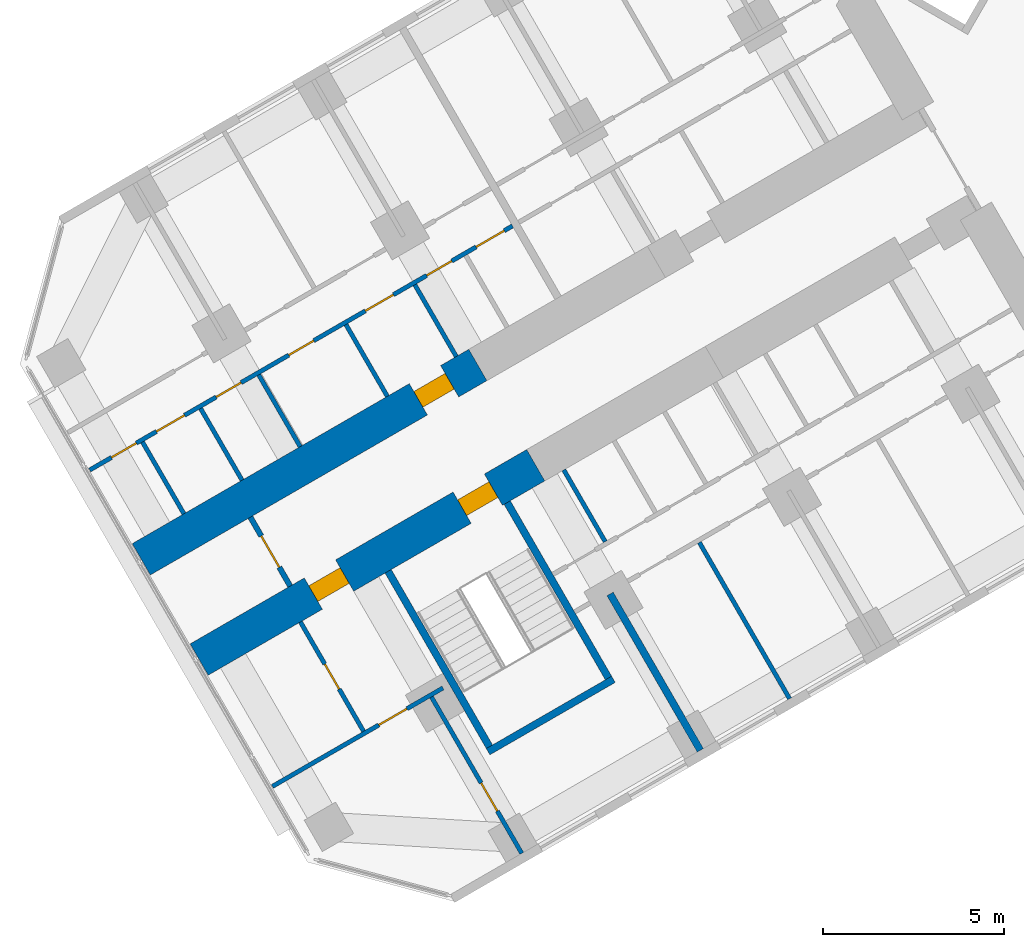
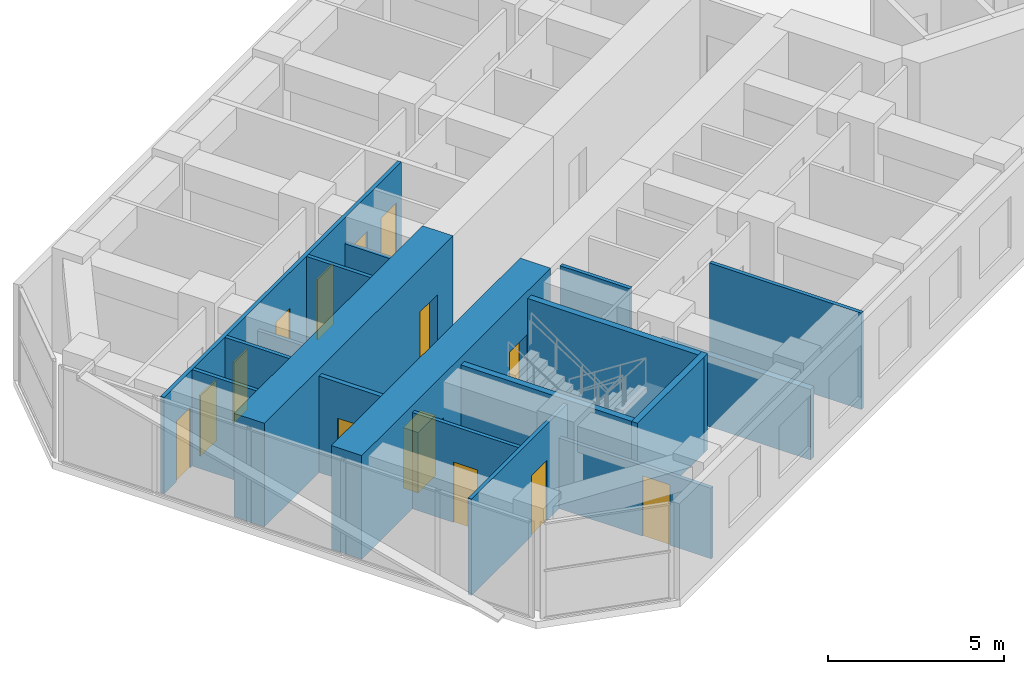
# One storey, part 10 of 21: 18 walls, 14 doors, 14 openings.
"""IFC4 building model written with IfcOpenShell, lengths in metres."""

from ifc_helpers import new_model, si_unit, direction, frame, frame_2d, origin, place, context, subcontext, project, spatial, rectangle, extrude, material, layer, layer_set, type_object, element, fill, save


model = new_model("IFC4")

# Units and contexts
model_context = context("Model", 3, precision=1e-05, world=origin(), true_north=direction((0.0, 1.0)))
body_context = subcontext(model_context, "Body", "Model", "MODEL_VIEW")
ifc_project = project(units=[si_unit("LENGTHUNIT", "METRE"), si_unit("AREAUNIT", "SQUARE_METRE"), si_unit("VOLUMEUNIT", "CUBIC_METRE"), si_unit("PLANEANGLEUNIT", "RADIAN"), si_unit("MASSUNIT", "GRAM", prefix="KILO")], contexts=[model_context])

# Site, building, storey
site_placement = place(None, origin())
site = spatial("IfcSite", under=ifc_project, at=site_placement, CompositionType="ELEMENT")
building_placement = place(site_placement, origin())
building = spatial("IfcBuilding", under=site, at=building_placement, Name="Kosmar Iwan School Tower", CompositionType="ELEMENT")
storey_placement = place(building_placement, frame((0.0, 0.0, 64.60009765625)))
storey = spatial("IfcBuildingStorey", under=building, at=storey_placement, Name="L15", CompositionType="ELEMENT", Elevation=64.60009765625)

# Wall, openings, doors
ifc_material_1 = material(Name="Concrete C50/60", Category="concrete")
ifc_layer_1 = layer(ifc_material_1, 1.0)
ifc_layer_set_1 = layer_set([ifc_layer_1], Name="Corridor buttress wall 1000")
wall_type_1 = type_object("IfcWallType", Name="Corridor buttress wall 1000", PredefinedType="SHEAR", material=ifc_layer_set_1)
wall_1_placement = place(storey_placement, frame((-19.681396484375, -13.210693359375, 0.0), z_axis=(0.0, 0.0, 1.0), x_axis=(-0.866028186671, -0.499995179869, 0.0)))
wall_1 = element("IfcWall", 1, at=wall_1_placement, inside=storey, type_object=wall_type_1, Name="Corridor wall BL bay 3", PredefinedType="SHEAR", context=body_context, shape_type="SweptSolid", body=[
    extrude(rectangle(XDim=10.7451171875, YDim=1.0, at=frame_2d((5.37255859375, 0.0))), origin(), (0.0, 0.0, 1.0), 3.599853515625),
])
opening_1_placement = place(wall_1_placement, frame((6.10009765625, 0.0, 0.0)))
opening_1 = element("IfcOpeningElement", 2, at=opening_1_placement, cuts=wall_1, Name="Opening D1", PredefinedType="OPENING", context=body_context, shape_type="SweptSolid", body=[
    extrude(rectangle(XDim=1.0, YDim=2.10009765625, at=frame_2d((0.5, 1.050048828125))), frame((0.0, 0.511962890625, 0.0), z_axis=(0.0, -1.0, 0.0), x_axis=(1.0, 0.0, 0.0)), (0.0, 0.0, 1.0), 1.02392578125),
])
opening_2_placement = place(wall_1_placement, frame((1.35009765625, 0.0, 0.0)))
opening_2 = element("IfcOpeningElement", 3, at=opening_2_placement, cuts=wall_1, Name="Opening D6", PredefinedType="OPENING", context=body_context, shape_type="SweptSolid", body=[
    extrude(rectangle(XDim=1.0, YDim=2.10009765625, at=frame_2d((0.5, 1.050048828125))), frame((0.0, 0.511962890625, 0.0), z_axis=(0.0, -1.0, 0.0), x_axis=(1.0, 0.0, 0.0)), (0.0, 0.0, 1.0), 1.02392578125),
])
ifc_material_2 = material(Name="Timber fire door in steel frame", Category="steel")
door_type_1 = type_object("IfcDoorType", Name="Flat entrance door 1000x2100", OperationType="SINGLE_SWING_LEFT", PredefinedType="DOOR", material=ifc_material_2)
door_1_placement = place(opening_1_placement, origin())
door_1 = element("IfcDoor", 4, at=door_1_placement, inside=storey, type_object=door_type_1, Name="Flat L15-BL2 entrance door", OperationType="SINGLE_SWING_RIGHT", OverallHeight=2.10009765625, OverallWidth=1.0, PredefinedType="DOOR", context=body_context, shape_type="SweptSolid", body=[
    extrude(rectangle(XDim=1.0, YDim=2.10009765625, at=frame_2d((0.5, 1.050048828125))), frame((0.0, 0.25, 0.0), z_axis=(0.0, -1.0, 0.0), x_axis=(1.0, 0.0, 0.0)), (0.0, 0.0, 1.0), 0.5),
])
fill(opening_1, door_1)
ifc_material_3 = material(Name="Steel fire door", Category="steel")
door_type_2 = type_object("IfcDoorType", Name="Stair door 1000x2100", OperationType="SINGLE_SWING_LEFT", PredefinedType="DOOR", material=ifc_material_3)
door_2_placement = place(opening_2_placement, origin())
door_2 = element("IfcDoor", 5, at=door_2_placement, inside=storey, type_object=door_type_2, Name="Stair WS2 door L15", OperationType="SINGLE_SWING_LEFT", OverallHeight=2.10009765625, OverallWidth=1.0, PredefinedType="DOOR", context=body_context, shape_type="SweptSolid", body=[
    extrude(rectangle(XDim=1.0, YDim=2.10009765625, at=frame_2d((0.5, 1.050048828125))), frame((0.0, 0.25, 0.0), z_axis=(0.0, -1.0, 0.0), x_axis=(1.0, 0.0, 0.0)), (0.0, 0.0, 1.0), 0.5),
])
fill(opening_2, door_2)

# Wall, opening, door
wall_2_placement = place(storey_placement, frame((-21.281494140625, -10.439453125, 0.0), z_axis=(0.0, 0.0, 1.0), x_axis=(-0.866032345022, -0.499987977232, 0.0)))
wall_2 = element("IfcWall", 6, at=wall_2_placement, inside=storey, type_object=wall_type_1, Name="Corridor wall BR bay 3", PredefinedType="SHEAR", context=body_context, shape_type="SweptSolid", body=[
    extrude(rectangle(XDim=10.744873046875, YDim=1.0, at=frame_2d((5.37255859375, 0.0))), origin(), (0.0, 0.0, 1.0), 3.599853515625),
])
opening_3_placement = place(wall_2_placement, frame((0.89990234375, 0.0, 0.0)))
opening_3 = element("IfcOpeningElement", 7, at=opening_3_placement, cuts=wall_2, Name="Opening D1", PredefinedType="OPENING", context=body_context, shape_type="SweptSolid", body=[
    extrude(rectangle(XDim=1.0, YDim=2.10009765625, at=frame_2d((0.5, 1.050048828125))), frame((0.0, 0.511962890625, 0.0), z_axis=(0.0, -1.0, 0.0), x_axis=(1.0, 0.0, 0.0)), (0.0, 0.0, 1.0), 1.02392578125),
])
door_3_placement = place(opening_3_placement, origin())
door_3 = element("IfcDoor", 8, at=door_3_placement, inside=storey, type_object=door_type_1, Name="Flat L15-BR2 entrance door", OperationType="SINGLE_SWING_LEFT", OverallHeight=2.10009765625, OverallWidth=1.0, PredefinedType="DOOR", context=body_context, shape_type="SweptSolid", body=[
    extrude(rectangle(XDim=1.0, YDim=2.10009765625, at=frame_2d((0.5, 1.050048828125))), frame((0.0, 0.25, 0.0), z_axis=(0.0, -1.0, 0.0), x_axis=(1.0, 0.0, 0.0)), (0.0, 0.0, 1.0), 0.5),
])
fill(opening_3, door_3)

ifc_material_4 = material(Name="Gypsum board on steel studs, fire-rated", Category="steel")
ifc_layer_2 = layer(ifc_material_4, 0.14990234375)
ifc_layer_set_2 = layer_set([ifc_layer_2], Name="Corridor end wall 150")
wall_type_2 = type_object("IfcWallType", Name="Corridor end wall 150", PredefinedType="PARTITIONING", material=ifc_layer_set_2)
wall_3_placement = place(storey_placement, frame((-27.570068359375, -14.6474609375, 0.0), z_axis=(0.0, 0.0, 1.0), x_axis=(0.50002983664, -0.866008176907, 0.0)))
wall_3 = element("IfcWall", 9, at=wall_3_placement, inside=storey, type_object=wall_type_2, Name="Partition L15-B-CE", PredefinedType="PARTITIONING", context=body_context, shape_type="SweptSolid", body=[
    extrude(rectangle(XDim=2.199951171875, YDim=0.14990234375, at=frame_2d((1.10009765625, 0.0))), origin(), (0.0, 0.0, 1.0), 3.349853515625),
])
opening_4_placement = place(wall_3_placement, frame((0.60009765625, 0.0, 0.0)))
opening_4 = element("IfcOpeningElement", 10, at=opening_4_placement, cuts=wall_3, Name="Opening D13", PredefinedType="OPENING", context=body_context, shape_type="SweptSolid", body=[
    extrude(rectangle(XDim=1.0, YDim=2.10009765625, at=frame_2d((0.5, 1.050048828125))), frame((0.0, 0.0869140625, 0.0), z_axis=(0.0, -1.0, 0.0), x_axis=(1.0, 0.0, 0.0)), (0.0, 0.0, 1.0), 0.173828125),
])
ifc_material_5 = material(Name="Timber fire door with vision panel", Category="wood")
door_type_3 = type_object("IfcDoorType", Name="Corridor end door 1000x2100", OperationType="SINGLE_SWING_LEFT", PredefinedType="DOOR", material=ifc_material_5)
door_4_placement = place(opening_4_placement, origin())
door_4 = element("IfcDoor", 11, at=door_4_placement, inside=storey, type_object=door_type_3, Name="Children's play room door L15-B", OperationType="SINGLE_SWING_LEFT", OverallHeight=2.10009765625, OverallWidth=1.0, PredefinedType="DOOR", context=body_context, shape_type="SweptSolid", body=[
    extrude(rectangle(XDim=1.0, YDim=2.10009765625, at=frame_2d((0.5, 1.050048828125))), frame((0.0, 0.02490234375, 0.0), z_axis=(0.0, -1.0, 0.0), x_axis=(1.0, 0.0, 0.0)), (0.0, 0.0, 1.0), 0.050048828125),
])
fill(opening_4, door_4)

# Walls
ifc_material_6 = material(Name="Gypsum board on steel studs", Category="steel")
ifc_layer_3 = layer(ifc_material_6, 0.1201171875)
ifc_layer_set_3 = layer_set([ifc_layer_3], Name="Dwelling partition 120")
wall_type_3 = type_object("IfcWallType", Name="Dwelling partition 120", PredefinedType="PARTITIONING", material=ifc_layer_set_3)
wall_4_placement = place(storey_placement, frame((-15.158447265625, -15.344970703125, 0.0), z_axis=(0.0, 0.0, 1.0), x_axis=(0.500011847778, -0.866018563358, 0.0)))
element("IfcWall", 12, at=wall_4_placement, inside=storey, type_object=wall_type_3, Name="Partition L15-BL1-X4", PredefinedType="PARTITIONING", context=body_context, shape_type="SweptSolid", body=[
    extrude(rectangle(XDim=4.990234375, YDim=0.1201171875, at=frame_2d((2.4951171875, 0.0))), origin(), (0.0, 0.0, 1.0), 3.349853515625),
])
wall_5_placement = place(storey_placement, frame((-18.906005859375, -13.34033203125, 0.0), z_axis=(0.0, 0.0, 1.0), x_axis=(0.500014693593, -0.866016920268, 0.0)))
element("IfcWall", 13, at=wall_5_placement, inside=storey, type_object=wall_type_3, Name="Partition L15-BL1-Y7", PredefinedType="PARTITIONING", context=body_context, shape_type="SweptSolid", body=[
    extrude(rectangle(XDim=2.2900390625, YDim=0.1201171875, at=frame_2d((1.14501953125, 0.0))), origin(), (0.0, 0.0, 1.0), 3.349853515625),
])

# Wall, opening, door
wall_6_placement = place(storey_placement, frame((-22.562744140625, -19.6201171875, 0.0), z_axis=(0.0, 0.0, 1.0), x_axis=(0.499996339024, -0.86602751744, 0.0)))
wall_6 = element("IfcWall", 14, at=wall_6_placement, inside=storey, type_object=wall_type_3, Name="Partition L15-BL2-TX", PredefinedType="PARTITIONING", context=body_context, shape_type="SweptSolid", body=[
    extrude(rectangle(XDim=4.98974609375, YDim=0.1201171875, at=frame_2d((2.494873046875, 0.0))), origin(), (0.0, 0.0, 1.0), 2.449951171875),
])
opening_5_placement = place(wall_6_placement, frame((2.739990234375, 0.0, 0.0)))
opening_5 = element("IfcOpeningElement", 15, at=opening_5_placement, cuts=wall_6, Name="Opening D2", PredefinedType="OPENING", context=body_context, shape_type="SweptSolid", body=[
    extrude(rectangle(XDim=0.89990234375, YDim=2.10009765625, at=frame_2d((0.449951171875, 1.050048828125))), frame((0.0, 0.072021484375, 0.0), z_axis=(0.0, -1.0, 0.0), x_axis=(1.0, 0.0, 0.0)), (0.0, 0.0, 1.0), 0.14404296875),
])
ifc_material_7 = material(Name="Timber door in timber frame", Category="wood")
door_type_4 = type_object("IfcDoorType", Name="Internal door 900x2100", OperationType="SINGLE_SWING_LEFT", PredefinedType="DOOR", material=ifc_material_7)
door_5_placement = place(opening_5_placement, origin())
door_5 = element("IfcDoor", 16, at=door_5_placement, inside=storey, type_object=door_type_4, Name="Bedroom 1 door L15-BL2-T1", OperationType="SINGLE_SWING_RIGHT", OverallHeight=2.10009765625, OverallWidth=0.89990234375, PredefinedType="DOOR", context=body_context, shape_type="SweptSolid", body=[
    extrude(rectangle(XDim=0.89990234375, YDim=2.10009765625, at=frame_2d((0.449951171875, 1.050048828125))), frame((0.0, 0.02490234375, 0.0), z_axis=(0.0, -1.0, 0.0), x_axis=(1.0, 0.0, 0.0)), (0.0, 0.0, 1.0), 0.050048828125),
])
fill(opening_5, door_5)

wall_7_placement = place(storey_placement, frame((-22.246337890625, -19.3681640625, 0.0), z_axis=(0.0, 0.0, 1.0), x_axis=(-0.866035508231, -0.499982498177, 0.0)))
wall_7 = element("IfcWall", 17, at=wall_7_placement, inside=storey, type_object=wall_type_3, Name="Partition L15-BL2-TW", PredefinedType="PARTITIONING", context=body_context, shape_type="SweptSolid", body=[
    extrude(rectangle(XDim=5.445068359375, YDim=0.1201171875, at=frame_2d((2.72265625, 0.0))), origin(), (0.0, 0.0, 1.0), 3.349853515625),
])
opening_6_placement = place(wall_7_placement, frame((1.14990234375, 0.0, 0.0)))
opening_6 = element("IfcOpeningElement", 18, at=opening_6_placement, cuts=wall_7, Name="Opening D2", PredefinedType="OPENING", context=body_context, shape_type="SweptSolid", body=[
    extrude(rectangle(XDim=0.89990234375, YDim=2.10009765625, at=frame_2d((0.449951171875, 1.050048828125))), frame((0.0, 0.072021484375, 0.0), z_axis=(0.0, -1.0, 0.0), x_axis=(1.0, 0.0, 0.0)), (0.0, 0.0, 1.0), 0.14404296875),
])
door_6_placement = place(opening_6_placement, origin())
door_6 = element("IfcDoor", 19, at=door_6_placement, inside=storey, type_object=door_type_4, Name="Entrance hall door L15-BL2-T3", OperationType="SINGLE_SWING_LEFT", OverallHeight=2.10009765625, OverallWidth=0.89990234375, PredefinedType="DOOR", context=body_context, shape_type="SweptSolid", body=[
    extrude(rectangle(XDim=0.89990234375, YDim=2.10009765625, at=frame_2d((0.449951171875, 1.050048828125))), frame((0.0, 0.02490234375, 0.0), z_axis=(0.0, -1.0, 0.0), x_axis=(1.0, 0.0, 0.0)), (0.0, 0.0, 1.0), 0.050048828125),
])
fill(opening_6, door_6)

wall_8_placement = place(storey_placement, frame((-26.1865234375, -17.543701171875, 0.0), z_axis=(0.0, 0.0, 1.0), x_axis=(0.50002117804, -0.866013176292, 0.0)))
wall_8 = element("IfcWall", 20, at=wall_8_placement, inside=storey, type_object=wall_type_3, Name="Partition L15-BL2-TY", PredefinedType="PARTITIONING", context=body_context, shape_type="SweptSolid", body=[
    extrude(rectangle(XDim=3.489990234375, YDim=0.1201171875, at=frame_2d((1.7451171875, 0.0))), origin(), (0.0, 0.0, 1.0), 3.349853515625),
])
opening_7_placement = place(wall_8_placement, frame((1.344970703125, 0.0, 0.0)))
opening_7 = element("IfcOpeningElement", 21, at=opening_7_placement, cuts=wall_8, Name="Opening D3", PredefinedType="OPENING", context=body_context, shape_type="SweptSolid", body=[
    extrude(rectangle(XDim=0.800048828125, YDim=2.10009765625, at=frame_2d((0.39990234375, 1.050048828125))), frame((0.0, 0.072021484375, 0.0), z_axis=(0.0, -1.0, 0.0), x_axis=(1.0, 0.0, 0.0)), (0.0, 0.0, 1.0), 0.14404296875),
])
ifc_material_8 = material(Name="Timber door in timber frame", Category="wood")
door_type_5 = type_object("IfcDoorType", Name="Sanitary room door 800x2100", OperationType="SINGLE_SWING_LEFT", PredefinedType="DOOR", material=ifc_material_8)
door_7_placement = place(opening_7_placement, origin())
door_7 = element("IfcDoor", 22, at=door_7_placement, inside=storey, type_object=door_type_5, Name="Bathroom door L15-BL2-T4", OperationType="SINGLE_SWING_LEFT", OverallHeight=2.10009765625, OverallWidth=0.800048828125, PredefinedType="DOOR", context=body_context, shape_type="SweptSolid", body=[
    extrude(rectangle(XDim=0.800048828125, YDim=2.10009765625, at=frame_2d((0.39990234375, 1.050048828125))), frame((0.0, 0.02490234375, 0.0), z_axis=(0.0, -1.0, 0.0), x_axis=(1.0, 0.0, 0.0)), (0.0, 0.0, 1.0), 0.050048828125),
])
fill(opening_7, door_7)

# Wall, openings, doors
wall_9_placement = place(storey_placement, frame((-20.324951171875, -6.59619140625, 0.0), z_axis=(0.0, 0.0, 1.0), x_axis=(-0.866023503214, -0.50000329187, 0.0)))
wall_9 = element("IfcWall", 23, at=wall_9_placement, inside=storey, type_object=wall_type_3, Name="Partition L15-BR2-W1", PredefinedType="PARTITIONING", context=body_context, shape_type="SweptSolid", body=[
    extrude(rectangle(XDim=13.4951171875, YDim=0.1201171875, at=frame_2d((6.74755859375, 0.0))), origin(), (0.0, 0.0, 1.0), 3.349853515625),
])
opening_8_placement = place(wall_9_placement, frame((0.262451171875, 0.0, 0.0)))
opening_8 = element("IfcOpeningElement", 24, at=opening_8_placement, cuts=wall_9, Name="Opening D2", PredefinedType="OPENING", context=body_context, shape_type="SweptSolid", body=[
    extrude(rectangle(XDim=0.89990234375, YDim=2.10009765625, at=frame_2d((0.449951171875, 1.050048828125))), frame((0.0, 0.072021484375, 0.0), z_axis=(0.0, -1.0, 0.0), x_axis=(1.0, 0.0, 0.0)), (0.0, 0.0, 1.0), 0.14404296875),
])
opening_9_placement = place(wall_9_placement, frame((1.9375, 0.0, 0.0)))
opening_9 = element("IfcOpeningElement", 25, at=opening_9_placement, cuts=wall_9, Name="Opening D3", PredefinedType="OPENING", context=body_context, shape_type="SweptSolid", body=[
    extrude(rectangle(XDim=0.800048828125, YDim=2.10009765625, at=frame_2d((0.39990234375, 1.050048828125))), frame((0.0, 0.072021484375, 0.0), z_axis=(0.0, -1.0, 0.0), x_axis=(1.0, 0.0, 0.0)), (0.0, 0.0, 1.0), 0.14404296875),
])
opening_10_placement = place(wall_9_placement, frame((3.800048828125, 0.0, 0.0)))
opening_10 = element("IfcOpeningElement", 26, at=opening_10_placement, cuts=wall_9, Name="Opening D2", PredefinedType="OPENING", context=body_context, shape_type="SweptSolid", body=[
    extrude(rectangle(XDim=0.89990234375, YDim=2.10009765625, at=frame_2d((0.449951171875, 1.050048828125))), frame((0.0, 0.072021484375, 0.0), z_axis=(0.0, -1.0, 0.0), x_axis=(1.0, 0.0, 0.0)), (0.0, 0.0, 1.0), 0.14404296875),
])
opening_11_placement = place(wall_9_placement, frame((6.341796875, 0.0, 0.0)))
opening_11 = element("IfcOpeningElement", 27, at=opening_11_placement, cuts=wall_9, Name="Opening D3", PredefinedType="OPENING", context=body_context, shape_type="SweptSolid", body=[
    extrude(rectangle(XDim=0.800048828125, YDim=2.10009765625, at=frame_2d((0.39990234375, 1.050048828125))), frame((0.0, 0.072021484375, 0.0), z_axis=(0.0, -1.0, 0.0), x_axis=(1.0, 0.0, 0.0)), (0.0, 0.0, 1.0), 0.14404296875),
])
opening_12_placement = place(wall_9_placement, frame((8.6611328125, 0.0, 0.0)))
opening_12 = element("IfcOpeningElement", 28, at=opening_12_placement, cuts=wall_9, Name="Opening D3", PredefinedType="OPENING", context=body_context, shape_type="SweptSolid", body=[
    extrude(rectangle(XDim=0.800048828125, YDim=2.10009765625, at=frame_2d((0.39990234375, 1.050048828125))), frame((0.0, 0.072021484375, 0.0), z_axis=(0.0, -1.0, 0.0), x_axis=(1.0, 0.0, 0.0)), (0.0, 0.0, 1.0), 0.14404296875),
])
opening_13_placement = place(wall_9_placement, frame((10.466796875, 0.0, 0.0)))
opening_13 = element("IfcOpeningElement", 29, at=opening_13_placement, cuts=wall_9, Name="Opening D2", PredefinedType="OPENING", context=body_context, shape_type="SweptSolid", body=[
    extrude(rectangle(XDim=0.89990234375, YDim=2.10009765625, at=frame_2d((0.449951171875, 1.050048828125))), frame((0.0, 0.072021484375, 0.0), z_axis=(0.0, -1.0, 0.0), x_axis=(1.0, 0.0, 0.0)), (0.0, 0.0, 1.0), 0.14404296875),
])
opening_14_placement = place(wall_9_placement, frame((12.00439453125, 0.0, 0.0)))
opening_14 = element("IfcOpeningElement", 30, at=opening_14_placement, cuts=wall_9, Name="Opening D3", PredefinedType="OPENING", context=body_context, shape_type="SweptSolid", body=[
    extrude(rectangle(XDim=0.800048828125, YDim=2.10009765625, at=frame_2d((0.39990234375, 1.050048828125))), frame((0.0, 0.072021484375, 0.0), z_axis=(0.0, -1.0, 0.0), x_axis=(1.0, 0.0, 0.0)), (0.0, 0.0, 1.0), 0.14404296875),
])
door_8_placement = place(opening_8_placement, origin())
door_8 = element("IfcDoor", 31, at=door_8_placement, inside=storey, type_object=door_type_4, Name="Utility room door L15-BR2-S1", OperationType="SINGLE_SWING_RIGHT", OverallHeight=2.10009765625, OverallWidth=0.89990234375, PredefinedType="DOOR", context=body_context, shape_type="SweptSolid", body=[
    extrude(rectangle(XDim=0.89990234375, YDim=2.10009765625, at=frame_2d((0.449951171875, 1.050048828125))), frame((0.0, 0.02490234375, 0.0), z_axis=(0.0, -1.0, 0.0), x_axis=(1.0, 0.0, 0.0)), (0.0, 0.0, 1.0), 0.050048828125),
])
fill(opening_8, door_8)
door_9_placement = place(opening_10_placement, origin())
door_9 = element("IfcDoor", 32, at=door_9_placement, inside=storey, type_object=door_type_4, Name="Entrance hall door L15-BR2-S3", OperationType="SINGLE_SWING_RIGHT", OverallHeight=2.10009765625, OverallWidth=0.89990234375, PredefinedType="DOOR", context=body_context, shape_type="SweptSolid", body=[
    extrude(rectangle(XDim=0.89990234375, YDim=2.10009765625, at=frame_2d((0.449951171875, 1.050048828125))), frame((0.0, 0.02490234375, 0.0), z_axis=(0.0, -1.0, 0.0), x_axis=(1.0, 0.0, 0.0)), (0.0, 0.0, 1.0), 0.050048828125),
])
fill(opening_10, door_9)
door_10_placement = place(opening_13_placement, origin())
door_10 = element("IfcDoor", 33, at=door_10_placement, inside=storey, type_object=door_type_4, Name="Pantry door L15-BR2-S6", OperationType="SINGLE_SWING_LEFT", OverallHeight=2.10009765625, OverallWidth=0.89990234375, PredefinedType="DOOR", context=body_context, shape_type="SweptSolid", body=[
    extrude(rectangle(XDim=0.89990234375, YDim=2.10009765625, at=frame_2d((0.449951171875, 1.050048828125))), frame((0.0, 0.02490234375, 0.0), z_axis=(0.0, -1.0, 0.0), x_axis=(1.0, 0.0, 0.0)), (0.0, 0.0, 1.0), 0.050048828125),
])
fill(opening_13, door_10)
door_11_placement = place(opening_9_placement, origin())
door_11 = element("IfcDoor", 34, at=door_11_placement, inside=storey, type_object=door_type_5, Name="WC door L15-BR2-S2", OperationType="SINGLE_SWING_LEFT", OverallHeight=2.10009765625, OverallWidth=0.800048828125, PredefinedType="DOOR", context=body_context, shape_type="SweptSolid", body=[
    extrude(rectangle(XDim=0.800048828125, YDim=2.10009765625, at=frame_2d((0.39990234375, 1.050048828125))), frame((0.0, 0.02490234375, 0.0), z_axis=(0.0, -1.0, 0.0), x_axis=(1.0, 0.0, 0.0)), (0.0, 0.0, 1.0), 0.050048828125),
])
fill(opening_9, door_11)
door_12_placement = place(opening_11_placement, origin())
door_12 = element("IfcDoor", 35, at=door_12_placement, inside=storey, type_object=door_type_5, Name="Bathroom door L15-BR2-S4", OperationType="SINGLE_SWING_LEFT", OverallHeight=2.10009765625, OverallWidth=0.800048828125, PredefinedType="DOOR", context=body_context, shape_type="SweptSolid", body=[
    extrude(rectangle(XDim=0.800048828125, YDim=2.10009765625, at=frame_2d((0.39990234375, 1.050048828125))), frame((0.0, 0.02490234375, 0.0), z_axis=(0.0, -1.0, 0.0), x_axis=(1.0, 0.0, 0.0)), (0.0, 0.0, 1.0), 0.050048828125),
])
fill(opening_11, door_12)
door_13_placement = place(opening_12_placement, origin())
door_13 = element("IfcDoor", 36, at=door_13_placement, inside=storey, type_object=door_type_5, Name="Shower room door L15-BR2-S5", OperationType="SINGLE_SWING_RIGHT", OverallHeight=2.10009765625, OverallWidth=0.800048828125, PredefinedType="DOOR", context=body_context, shape_type="SweptSolid", body=[
    extrude(rectangle(XDim=0.800048828125, YDim=2.10009765625, at=frame_2d((0.39990234375, 1.050048828125))), frame((0.0, 0.02490234375, 0.0), z_axis=(0.0, -1.0, 0.0), x_axis=(1.0, 0.0, 0.0)), (0.0, 0.0, 1.0), 0.050048828125),
])
fill(opening_12, door_13)
door_14_placement = place(opening_14_placement, origin())
door_14 = element("IfcDoor", 37, at=door_14_placement, inside=storey, type_object=door_type_5, Name="Store door L15-BR2-S7", OperationType="SINGLE_SWING_LEFT", OverallHeight=2.10009765625, OverallWidth=0.800048828125, PredefinedType="DOOR", context=body_context, shape_type="SweptSolid", body=[
    extrude(rectangle(XDim=0.800048828125, YDim=2.10009765625, at=frame_2d((0.39990234375, 1.050048828125))), frame((0.0, 0.02490234375, 0.0), z_axis=(0.0, -1.0, 0.0), x_axis=(1.0, 0.0, 0.0)), (0.0, 0.0, 1.0), 0.050048828125),
])
fill(opening_14, door_14)

# Walls
wall_10_placement = place(storey_placement, frame((-21.8779296875, -10.206298828125, 0.0), z_axis=(0.0, 0.0, 1.0), x_axis=(-0.500014693593, 0.866016920268, 0.0)))
element("IfcWall", 38, at=wall_10_placement, inside=storey, type_object=wall_type_3, Name="Partition L15-BR2-Y2", PredefinedType="PARTITIONING", context=body_context, shape_type="SweptSolid", body=[
    extrude(rectangle(XDim=2.2900390625, YDim=0.1201171875, at=frame_2d((1.14501953125, 0.0))), origin(), (0.0, 0.0, 1.0), 2.449951171875),
])
wall_11_placement = place(storey_placement, frame((-23.783203125, -11.306396484375, 0.0), z_axis=(0.0, 0.0, 1.0), x_axis=(-0.500014693593, 0.866016920268, 0.0)))
element("IfcWall", 39, at=wall_11_placement, inside=storey, type_object=wall_type_3, Name="Partition L15-BR2-Y3", PredefinedType="PARTITIONING", context=body_context, shape_type="SweptSolid", body=[
    extrude(rectangle(XDim=2.2900390625, YDim=0.1201171875, at=frame_2d((1.14501953125, 0.0))), origin(), (0.0, 0.0, 1.0), 3.349853515625),
])
wall_12_placement = place(storey_placement, frame((-26.193603515625, -12.697998046875, 0.0), z_axis=(0.0, 0.0, 1.0), x_axis=(-0.500014693593, 0.866016920268, 0.0)))
element("IfcWall", 40, at=wall_12_placement, inside=storey, type_object=wall_type_3, Name="Partition L15-BR2-Y4", PredefinedType="PARTITIONING", context=body_context, shape_type="SweptSolid", body=[
    extrude(rectangle(XDim=2.2900390625, YDim=0.1201171875, at=frame_2d((1.14501953125, 0.0))), origin(), (0.0, 0.0, 1.0), 2.449951171875),
])
for number, where, z_axis, x_axis, name in (
    (41, (-27.800537109375, -13.625732421875, 0.0), (0.0, 0.0, 1.0), (-0.500014693593, 0.866016920268, 0.0), "Partition L15-BR2-Y5"),
    (42, (-29.407470703125, -14.553466796875, 0.0), (0.0, 0.0, 1.0), (-0.500014693593, 0.866016920268, 0.0), "Partition L15-BR2-Y6"),
):
    element("IfcWall", number, at=place(storey_placement, frame(where, z_axis=z_axis, x_axis=x_axis)), inside=storey, type_object=wall_type_3, Name=name, PredefinedType="PARTITIONING", context=body_context, shape_type="SweptSolid", body=[
        extrude(rectangle(XDim=2.2900390625, YDim=0.1201171875, at=frame_2d((1.14501953125, 0.0))), origin(), (0.0, 0.0, 1.0), 3.349853515625),
    ])
ifc_material_9 = material(Name="Concrete C35/45", Category="concrete")
ifc_layer_4 = layer(ifc_material_9, 0.199951171875)
ifc_layer_set_4 = layer_set([ifc_layer_4], Name="Escape stair wall 200")
wall_type_4 = type_object("IfcWallType", Name="Escape stair wall 200", PredefinedType="SHEAR", material=ifc_layer_set_4)
for number, where, z_axis, x_axis, name in (
    (43, (-20.470703125, -14.24365234375, 0.0), (0.0, 0.0, 1.0), (0.499987231761, -0.866032775405, 0.0), "Stair WS2 wall"),
    (44, (-23.76171875, -16.1435546875, 0.0), (0.0, 0.0, 1.0), (0.500018801468, -0.86601454848, 0.0), "Stair WS2 wall"),
):
    element("IfcWall", number, at=place(storey_placement, frame(where, z_axis=z_axis, x_axis=x_axis)), inside=storey, type_object=wall_type_4, Name=name, PredefinedType="SHEAR", context=body_context, shape_type="SweptSolid", body=[
        extrude(rectangle(XDim=5.800048828125, YDim=0.199951171875, at=frame_2d((2.89990234375, 0.0))), origin(), (0.0, 0.0, 1.0), 3.329833984375),
    ])
wall_13_placement = place(storey_placement, frame((-17.5341796875, -19.1298828125, 0.0), z_axis=(0.0, 0.0, 1.0), x_axis=(-0.866026010844, -0.49999894854, 0.0)))
element("IfcWall", 45, at=wall_13_placement, inside=storey, type_object=wall_type_4, Name="Stair WS2 wall", PredefinedType="SHEAR", context=body_context, shape_type="SweptSolid", body=[
    extrude(rectangle(XDim=4.0, YDim=0.199951171875, at=frame_2d((2.0, 0.0))), origin(), (0.0, 0.0, 1.0), 3.329833984375),
])
ifc_material_10 = material(Name="Concrete block masonry", Category="masonry")
ifc_layer_5 = layer(ifc_material_10, 0.199951171875)
ifc_layer_set_5 = layer_set([ifc_layer_5], Name="Party wall 200")
wall_type_5 = type_object("IfcWallType", Name="Party wall 200", PredefinedType="PARTITIONING", material=ifc_layer_set_5)
wall_14_placement = place(storey_placement, frame((-17.62646484375, -16.77001953125, 0.0), z_axis=(0.0, 0.0, 1.0), x_axis=(0.499975153383, -0.86603974851, 0.0)))
element("IfcWall", 46, at=wall_14_placement, inside=storey, type_object=wall_type_5, Name="Partition L15-BL2-TB", PredefinedType="PARTITIONING", context=body_context, shape_type="SweptSolid", body=[
    extrude(rectangle(XDim=4.989990234375, YDim=0.199951171875, at=frame_2d((2.4951171875, 0.0))), origin(), (0.0, 0.0, 1.0), 2.449951171875),
])

save(model, "model.ifc")
